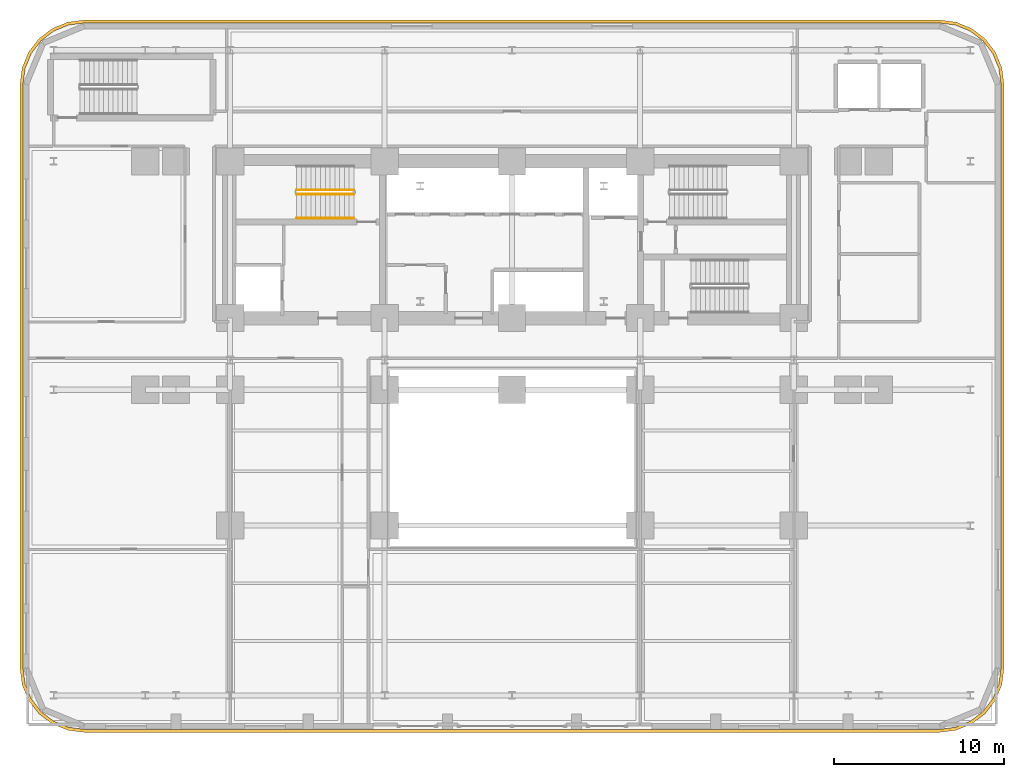
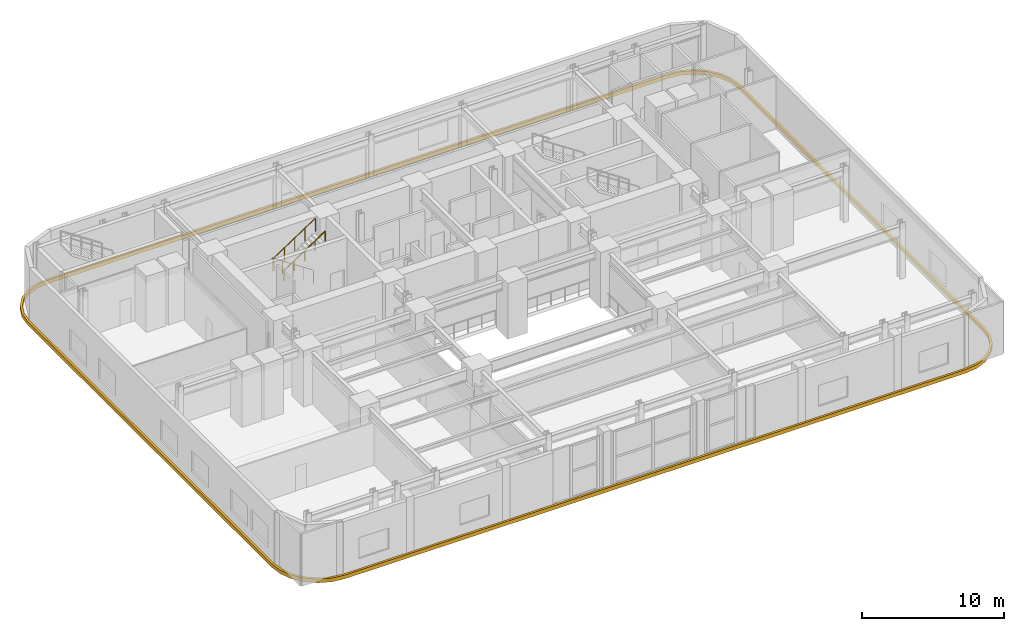
# One storey, part 12 of 16: 3 railings, 1 covering.
"""IFC4 building model written with IfcOpenShell, lengths in metres."""

from ifc_helpers import new_model, si_unit, direction, frame, origin, origin_2d, place, context, subcontext, project, spatial, polyline, rectangle, outline, extrude, material, type_object, element, save


model = new_model("IFC4")

# Units and contexts
model_context = context("Model", 3, precision=1e-05, world=origin(), true_north=direction((0.0, 1.0)))
body_context = subcontext(model_context, "Body", "Model", "MODEL_VIEW")
ifc_project = project(units=[si_unit("LENGTHUNIT", "METRE"), si_unit("AREAUNIT", "SQUARE_METRE"), si_unit("VOLUMEUNIT", "CUBIC_METRE"), si_unit("PLANEANGLEUNIT", "RADIAN"), si_unit("MASSUNIT", "GRAM", prefix="KILO")], contexts=[model_context])

# Site, building, storey
site_placement = place(None, origin())
site = spatial("IfcSite", under=ifc_project, at=site_placement, CompositionType="ELEMENT")
building_placement = place(site_placement, origin())
building = spatial("IfcBuilding", under=site, at=building_placement, Name="Zarnavel Station Tower", CompositionType="ELEMENT")
storey_placement = place(building_placement, frame((0.0, 0.0, 19.39990234375)))
storey = spatial("IfcBuildingStorey", under=building, at=storey_placement, Name="L05", CompositionType="ELEMENT", Elevation=19.39990234375)

# Covering
ifc_material_1 = material(Name="Precast concrete C45/55 (Pale Travertine Slab Band)", Category="masonry")
covering_type = type_object("IfcCoveringType", Name="COV_TRAVERTINE_BAND", PredefinedType="CLADDING", material=ifc_material_1)
covering_placement = place(storey_placement, frame((0.0, 0.0, -0.260009765625)))
element("IfcCovering", 1, at=covering_placement, inside=storey, type_object=covering_type, Name="L05 Pale Travertine Slab-Edge Band", PredefinedType="CLADDING", context=body_context, shape_type="SweptSolid", body=[
    extrude(outline(polyline([(54.0, 3.419921875), (54.978271484375, 3.548828125), (55.889892578125, 3.926513671875), (56.6728515625, 4.527099609375), (57.273681640625, 5.31005859375), (57.651123046875, 6.2216796875), (57.780029296875, 7.199951171875), (57.780029296875, 41.60009765625), (57.651123046875, 42.578369140625), (57.273681640625, 43.489990234375), (56.6728515625, 44.27294921875), (55.889892578125, 44.87353515625), (54.978271484375, 45.251220703125), (54.0, 45.3798828125), (3.60009765625, 45.3798828125), (2.62158203125, 45.251220703125), (1.7099609375, 44.87353515625), (0.927001953125, 44.27294921875), (0.326416015625, 43.489990234375), (-0.05126953125, 42.578369140625), (-0.179931640625, 41.60009765625), (-0.179931640625, 7.199951171875), (-0.05126953125, 6.2216796875), (0.326416015625, 5.31005859375), (0.927001953125, 4.527099609375), (1.7099609375, 3.926513671875), (2.62158203125, 3.548828125), (3.60009765625, 3.419921875), (54.0, 3.419921875)]), holes=[polyline([(54.0, 3.60009765625), (54.931640625, 3.72265625), (55.800048828125, 4.082275390625), (56.545654296875, 4.654296875), (57.11767578125, 5.39990234375), (57.477294921875, 6.268310546875), (57.60009765625, 7.199951171875), (57.60009765625, 41.60009765625), (57.477294921875, 42.53173828125), (57.11767578125, 43.39990234375), (56.545654296875, 44.1455078125), (55.800048828125, 44.7177734375), (54.931640625, 45.077392578125), (54.0, 45.199951171875), (3.60009765625, 45.199951171875), (2.668212890625, 45.077392578125), (1.800048828125, 44.7177734375), (1.054443359375, 44.1455078125), (0.482421875, 43.39990234375), (0.122802734375, 42.53173828125), (0.0, 41.60009765625), (0.0, 7.199951171875), (0.122802734375, 6.268310546875), (0.482421875, 5.39990234375), (1.054443359375, 4.654296875), (1.800048828125, 4.082275390625), (2.668212890625, 3.72265625), (3.60009765625, 3.60009765625), (54.0, 3.60009765625)])]), origin(), (0.0, 0.0, 1.0), 0.320068359375),
])

# Railings
ifc_material_2 = material(Name="Painted Steel S355J2 Balustrade", Category="steel")
railing_type_1 = type_object("IfcRailingType", Name="GR_INT_1150", PredefinedType="GUARDRAIL", material=ifc_material_2)
railing_1_placement = place(storey_placement, frame((19.47998046875, 35.3701171875, 0.184814453125)))
element("IfcRailing", 2, at=railing_1_placement, inside=storey, type_object=railing_type_1, Name="L05 ST1 stair guard 1", PredefinedType="GUARDRAIL", context=body_context, shape_type="SweptSolid", body=[
    extrude(rectangle(XDim=0.048095703125, YDim=0.048095703125, at=origin_2d()), frame((-0.001708984375, 0.0, 1.126953125), z_axis=(-0.834858096282, 0.0, 0.550465220583), x_axis=(0.0, -1.0, 0.0)), (0.0, 0.0, 1.0), 4.0205078125),
    extrude(rectangle(XDim=0.0419921875, YDim=0.0419921875, at=origin_2d()), origin(), (0.0, 0.0, 1.0), 1.101806640625),
    extrude(rectangle(XDim=0.0419921875, YDim=0.0419921875, at=origin_2d()), frame((-0.83984375, 0.0, 0.5537109375)), (0.0, 0.0, 1.0), 1.101806640625),
    extrude(rectangle(XDim=0.0419921875, YDim=0.0419921875, at=origin_2d()), frame((-1.679931640625, 0.0, 1.107666015625)), (0.0, 0.0, 1.0), 1.101806640625),
    extrude(rectangle(XDim=0.0419921875, YDim=0.0419921875, at=origin_2d()), frame((-2.52001953125, 0.0, 1.66162109375)), (0.0, 0.0, 1.0), 1.101806640625),
    extrude(rectangle(XDim=0.0419921875, YDim=0.0419921875, at=origin_2d()), frame((-3.35986328125, 0.0, 2.21533203125)), (0.0, 0.0, 1.0), 1.101806640625),
])
railing_2_placement = place(storey_placement, frame((16.1201171875, 35.110107421875, 2.584716796875)))
element("IfcRailing", 3, at=railing_2_placement, inside=storey, type_object=railing_type_1, Name="L05 ST1 stair guard 3", PredefinedType="GUARDRAIL", context=body_context, shape_type="SweptSolid", body=[
    extrude(rectangle(XDim=0.048095703125, YDim=0.048095703125, at=origin_2d()), frame((0.001708984375, 0.0, 1.126953125), z_axis=(0.834858096282, 0.0, 0.550465220583), x_axis=(0.0, 1.0, 0.0)), (0.0, 0.0, 1.0), 4.0205078125),
    extrude(rectangle(XDim=0.0419921875, YDim=0.0419921875, at=origin_2d()), origin(), (0.0, 0.0, 1.0), 1.101806640625),
    extrude(rectangle(XDim=0.0419921875, YDim=0.0419921875, at=origin_2d()), frame((0.83984375, 0.0, 0.5537109375)), (0.0, 0.0, 1.0), 1.101806640625),
    extrude(rectangle(XDim=0.0419921875, YDim=0.0419921875, at=origin_2d()), frame((1.679931640625, 0.0, 1.107666015625)), (0.0, 0.0, 1.0), 1.101806640625),
    extrude(rectangle(XDim=0.0419921875, YDim=0.0419921875, at=origin_2d()), frame((2.52001953125, 0.0, 1.66162109375)), (0.0, 0.0, 1.0), 1.101806640625),
    extrude(rectangle(XDim=0.0419921875, YDim=0.0419921875, at=origin_2d()), frame((3.35986328125, 0.0, 2.21533203125)), (0.0, 0.0, 1.0), 1.101806640625),
])
ifc_material_3 = material(Name="Brushed Stainless Steel S355J2 Handrail", Category="steel")
railing_type_2 = type_object("IfcRailingType", Name="HR_STAIR_900", PredefinedType="HANDRAIL", material=ifc_material_3)
railing_3_placement = place(storey_placement, frame((16.1201171875, 33.7099609375, 2.584716796875)))
element("IfcRailing", 4, at=railing_3_placement, inside=storey, type_object=railing_type_2, Name="L05 ST1 stair handrail 2", PredefinedType="HANDRAIL", context=body_context, shape_type="SweptSolid", body=[
    extrude(rectangle(XDim=0.048095703125, YDim=0.048095703125, at=origin_2d()), frame((0.001708984375, 0.0, 0.876953125), z_axis=(0.834858096282, 0.0, 0.550465220583), x_axis=(0.0, 1.0, 0.0)), (0.0, 0.0, 1.0), 4.0205078125),
    extrude(rectangle(XDim=0.0419921875, YDim=0.0419921875, at=origin_2d()), origin(), (0.0, 0.0, 1.0), 0.851806640625),
    extrude(rectangle(XDim=0.0419921875, YDim=0.0419921875, at=origin_2d()), frame((0.83984375, 0.0, 0.5537109375)), (0.0, 0.0, 1.0), 0.851806640625),
    extrude(rectangle(XDim=0.0419921875, YDim=0.0419921875, at=origin_2d()), frame((1.679931640625, 0.0, 1.107666015625)), (0.0, 0.0, 1.0), 0.851806640625),
    extrude(rectangle(XDim=0.0419921875, YDim=0.0419921875, at=origin_2d()), frame((2.52001953125, 0.0, 1.66162109375)), (0.0, 0.0, 1.0), 0.851806640625),
    extrude(rectangle(XDim=0.0419921875, YDim=0.0419921875, at=origin_2d()), frame((3.35986328125, 0.0, 2.21533203125)), (0.0, 0.0, 1.0), 0.851806640625),
])

save(model, "model.ifc")
